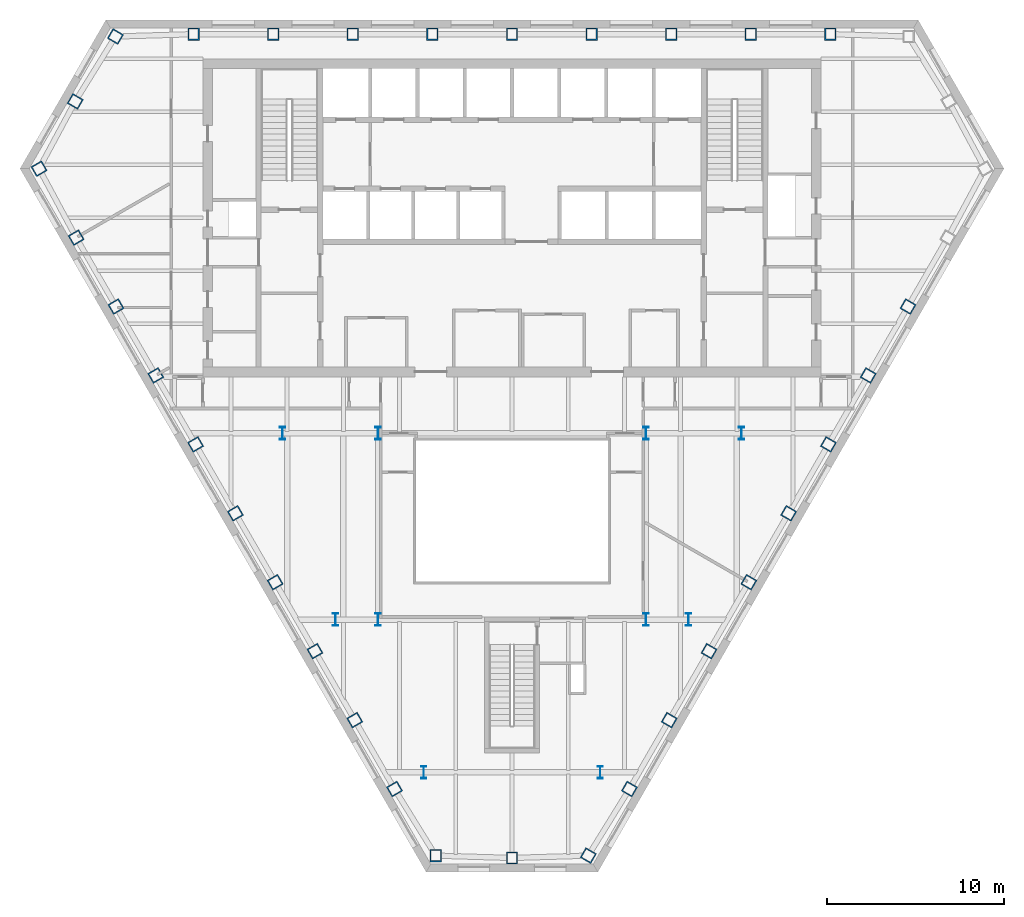
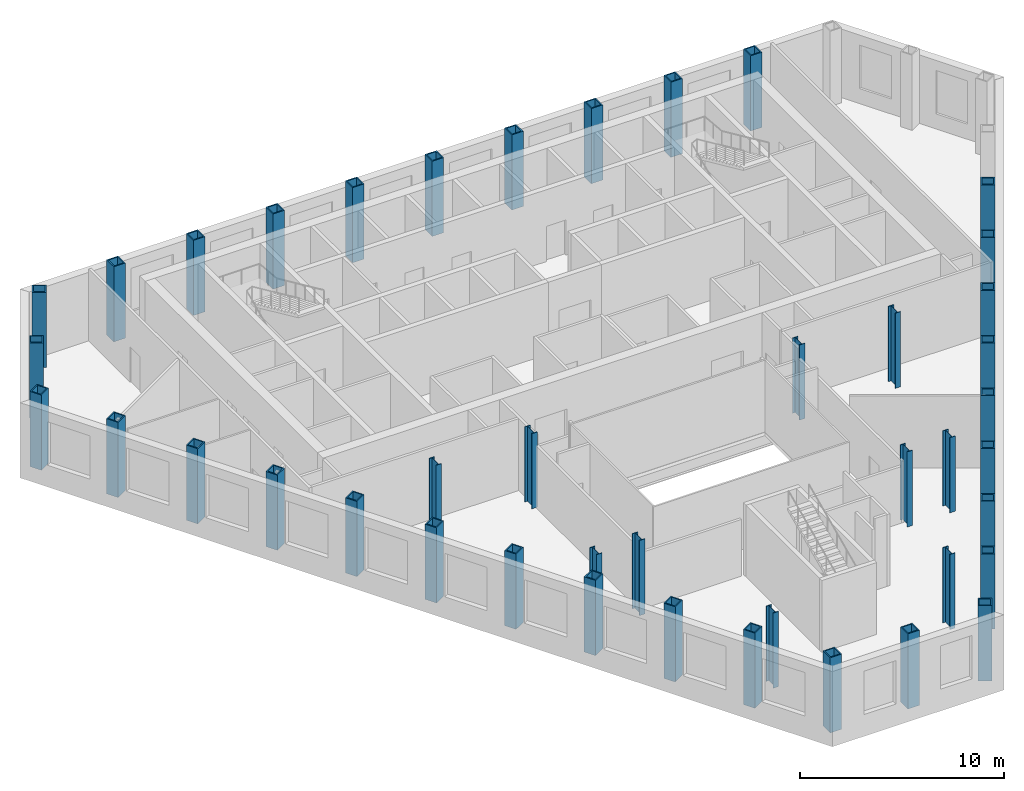
# One storey, part 1 of 11: 42 columns.
"""IFC4 building model written with IfcOpenShell, lengths in metres."""

from ifc_helpers import new_model, si_unit, direction, frame, origin, origin_2d, place, context, subcontext, project, spatial, hollow_rectangle, i_section, extrude, material, material_profile, profile_set, type_object, element, save


model = new_model("IFC4")

# Units and contexts
model_context = context("Model", 3, precision=1e-05, world=origin(), true_north=direction((0.0, 1.0)))
body_context = subcontext(model_context, "Body", "Model", "MODEL_VIEW")
ifc_project = project(units=[si_unit("LENGTHUNIT", "METRE"), si_unit("AREAUNIT", "SQUARE_METRE"), si_unit("VOLUMEUNIT", "CUBIC_METRE"), si_unit("PLANEANGLEUNIT", "RADIAN"), si_unit("MASSUNIT", "GRAM", prefix="KILO")], contexts=[model_context])

# Site, building, storey
site_placement = place(None, origin())
site = spatial("IfcSite", under=ifc_project, at=site_placement, CompositionType="ELEMENT")
building_placement = place(site_placement, origin())
building = spatial("IfcBuilding", under=site, at=building_placement, Name="Njiva Tower", CompositionType="ELEMENT")
storey_placement = place(building_placement, frame((0.0, 0.0, 115.8)))
storey = spatial("IfcBuildingStorey", under=building, at=storey_placement, Name="L24", CompositionType="ELEMENT", Elevation=115.8)

# Columns
ifc_material = material(Name="Steel S355 J2", Category="steel")
ifc_material_profile_1 = material_profile(ifc_material, hollow_rectangle(XDim=0.65, YDim=0.7, WallThickness=0.065, at=origin_2d()), Name="BOX 700x650x65")
ifc_profile_set_1 = profile_set([ifc_material_profile_1], Name="Steel S355 J2")
column_type_1 = type_object("IfcColumnType", Name="C7 Perimeter tube column BOX 700x650x65", PredefinedType="COLUMN", material=ifc_profile_set_1)
for number, where, z_axis, x_axis, name in (
    (1, (18.026, 19.4, 0.0), (0.0, 0.0, 1.0), (-1.0, 0.0, 0.0), "Perimeter tube column S08-C02"),
    (2, (13.52, 19.4, 0.0), (0.0, 0.0, 1.0), (-1.0, 0.0, 0.0), "Perimeter tube column S08-C03"),
    (3, (9.013, 19.4, 0.0), (0.0, 0.0, 1.0), (-1.0, 0.0, 0.0), "Perimeter tube column S08-C04"),
    (4, (4.507, 19.4, 0.0), (0.0, 0.0, 1.0), (-1.0, 0.0, 0.0), "Perimeter tube column S08-C05"),
    (5, (0.0, 19.4, 0.0), (0.0, 0.0, 1.0), (-1.0, 0.0, 0.0), "Perimeter tube column S08-C06"),
    (6, (-4.507, 19.4, 0.0), (0.0, 0.0, 1.0), (-1.0, 0.0, 0.0), "Perimeter tube column S08-C07"),
    (7, (-9.013, 19.4, 0.0), (0.0, 0.0, 1.0), (-1.0, 0.0, 0.0), "Perimeter tube column S08-C08"),
    (8, (-13.52, 19.4, 0.0), (0.0, 0.0, 1.0), (-1.0, 0.0, 0.0), "Perimeter tube column S08-C09"),
    (9, (-18.026, 19.4, 0.0), (0.0, 0.0, 1.0), (-1.0, 0.0, 0.0), "Perimeter tube column S08-C10"),
    (10, (-22.456, 19.267, 0.0), (0.0, 0.0, 1.0), (-0.5, -0.866025403784, 0.0), "Perimeter tube column S08-C11"),
    (11, (-24.732, 15.591, 0.0), (0.0, 0.0, 1.0), (-0.5, -0.866025403784, 0.0), "Perimeter tube column S08-C12"),
    (12, (-26.778, 11.782, 0.0), (0.0, 0.0, 1.0), (0.5, -0.866025403784, 0.0), "Perimeter tube column S08-C13"),
    (13, (-24.678, 7.879, 0.0), (0.0, 0.0, 1.0), (0.5, -0.866025403784, 0.0), "Perimeter tube column S08-C14"),
    (14, (-22.425, 3.977, 0.0), (0.0, 0.0, 1.0), (0.5, -0.866025403784, 0.0), "Perimeter tube column S08-C15"),
    (15, (-20.171, 0.074, 0.0), (0.0, 0.0, 1.0), (0.5, -0.866025403784, 0.0), "Perimeter tube column S08-C16"),
    (16, (-17.918, -3.829, 0.0), (0.0, 0.0, 1.0), (0.5, -0.866025403784, 0.0), "Perimeter tube column S08-C17"),
    (17, (-15.665, -7.732, 0.0), (0.0, 0.0, 1.0), (0.5, -0.866025403784, 0.0), "Perimeter tube column S08-C18"),
    (18, (-13.411, -11.635, 0.0), (0.0, 0.0, 1.0), (0.5, -0.866025403784, 0.0), "Perimeter tube column S08-C19"),
    (19, (-11.158, -15.538, 0.0), (0.0, 0.0, 1.0), (0.5, -0.866025403784, 0.0), "Perimeter tube column S08-C20"),
    (20, (-8.905, -19.441, 0.0), (0.0, 0.0, 1.0), (0.5, -0.866025403784, 0.0), "Perimeter tube column S08-C21"),
    (21, (-6.651, -23.343, 0.0), (0.0, 0.0, 1.0), (0.5, -0.866025403784, 0.0), "Perimeter tube column S08-C22"),
    (22, (-4.321, -27.113, 0.0), (0.0, 0.0, 1.0), (1.0, 0.0, 0.0), "Perimeter tube column S08-C23"),
    (23, (0.0, -27.246, 0.0), (0.0, 0.0, 1.0), (1.0, 0.0, 0.0), "Perimeter tube column S08-C24"),
    (24, (4.321, -27.113, 0.0), (0.0, 0.0, 1.0), (0.5, 0.866025403784, 0.0), "Perimeter tube column S08-C25"),
    (25, (6.651, -23.343, 0.0), (0.0, 0.0, 1.0), (0.5, 0.866025403784, 0.0), "Perimeter tube column S08-C26"),
    (26, (8.905, -19.441, 0.0), (0.0, 0.0, 1.0), (0.5, 0.866025403784, 0.0), "Perimeter tube column S08-C27"),
    (27, (11.158, -15.538, 0.0), (0.0, 0.0, 1.0), (0.5, 0.866025403784, 0.0), "Perimeter tube column S08-C28"),
    (28, (13.411, -11.635, 0.0), (0.0, 0.0, 1.0), (0.5, 0.866025403784, 0.0), "Perimeter tube column S08-C29"),
    (29, (15.665, -7.732, 0.0), (0.0, 0.0, 1.0), (0.5, 0.866025403784, 0.0), "Perimeter tube column S08-C30"),
    (30, (17.918, -3.829, 0.0), (0.0, 0.0, 1.0), (0.5, 0.866025403784, 0.0), "Perimeter tube column S08-C31"),
    (31, (20.171, 0.074, 0.0), (0.0, 0.0, 1.0), (0.5, 0.866025403784, 0.0), "Perimeter tube column S08-C32"),
    (32, (22.425, 3.977, 0.0), (0.0, 0.0, 1.0), (0.5, 0.866025403784, 0.0), "Perimeter tube column S08-C33"),
):
    element("IfcColumn", number, at=place(storey_placement, frame(where, z_axis=z_axis, x_axis=x_axis)), inside=storey, type_object=column_type_1, Name=name, PredefinedType="COLUMN", context=body_context, shape_type="SweptSolid", body=[
        extrude(hollow_rectangle(XDim=0.65, YDim=0.7, WallThickness=0.065, at=origin_2d()), origin(), (0.0, 0.0, 1.0), 4.5),
    ])
ifc_material_profile_2 = material_profile(ifc_material, i_section(OverallWidth=0.304, OverallDepth=0.716, WebThickness=0.021, FlangeThickness=0.04, at=origin_2d()), Name="HEM 700")
ifc_profile_set_2 = profile_set([ifc_material_profile_2], Name="Steel S355 J2")
column_type_2 = type_object("IfcColumnType", Name="C8 Interior column HEM 700", PredefinedType="COLUMN", material=ifc_profile_set_2)
for number, where, z_axis, x_axis, name in (
    (33, (7.58, -3.2, 0.0), (0.0, 0.0, 1.0), (1.0, 0.0, 0.0), "Interior column S08-C37"),
    (34, (-7.58, -3.2, 0.0), (0.0, 0.0, 1.0), (1.0, 0.0, 0.0), "Interior column S08-C38"),
    (35, (7.58, -13.75, 0.0), (0.0, 0.0, 1.0), (1.0, 0.0, 0.0), "Interior column S08-C39"),
    (36, (-7.58, -13.75, 0.0), (0.0, 0.0, 1.0), (1.0, 0.0, 0.0), "Interior column S08-C40"),
    (37, (5.0, -22.4, 0.0), (0.0, 0.0, 1.0), (1.0, 0.0, 0.0), "Interior column S08-C41"),
    (38, (-5.0, -22.4, 0.0), (0.0, 0.0, 1.0), (1.0, 0.0, 0.0), "Interior column S08-C42"),
    (39, (13.0, -3.2, 0.0), (0.0, 0.0, 1.0), (1.0, 0.0, 0.0), "Interior column S08-C43"),
    (40, (-13.0, -3.2, 0.0), (0.0, 0.0, 1.0), (1.0, 0.0, 0.0), "Interior column S08-C44"),
    (41, (10.0, -13.75, 0.0), (0.0, 0.0, 1.0), (1.0, 0.0, 0.0), "Interior column S08-C45"),
    (42, (-10.0, -13.75, 0.0), (0.0, 0.0, 1.0), (1.0, 0.0, 0.0), "Interior column S08-C46"),
):
    element("IfcColumn", number, at=place(storey_placement, frame(where, z_axis=z_axis, x_axis=x_axis)), inside=storey, type_object=column_type_2, Name=name, PredefinedType="COLUMN", context=body_context, shape_type="SweptSolid", body=[
        extrude(i_section(OverallWidth=0.304, OverallDepth=0.716, WebThickness=0.021, FlangeThickness=0.04, at=origin_2d()), origin(), (0.0, 0.0, 1.0), 4.5),
    ])

save(model, "model.ifc")
